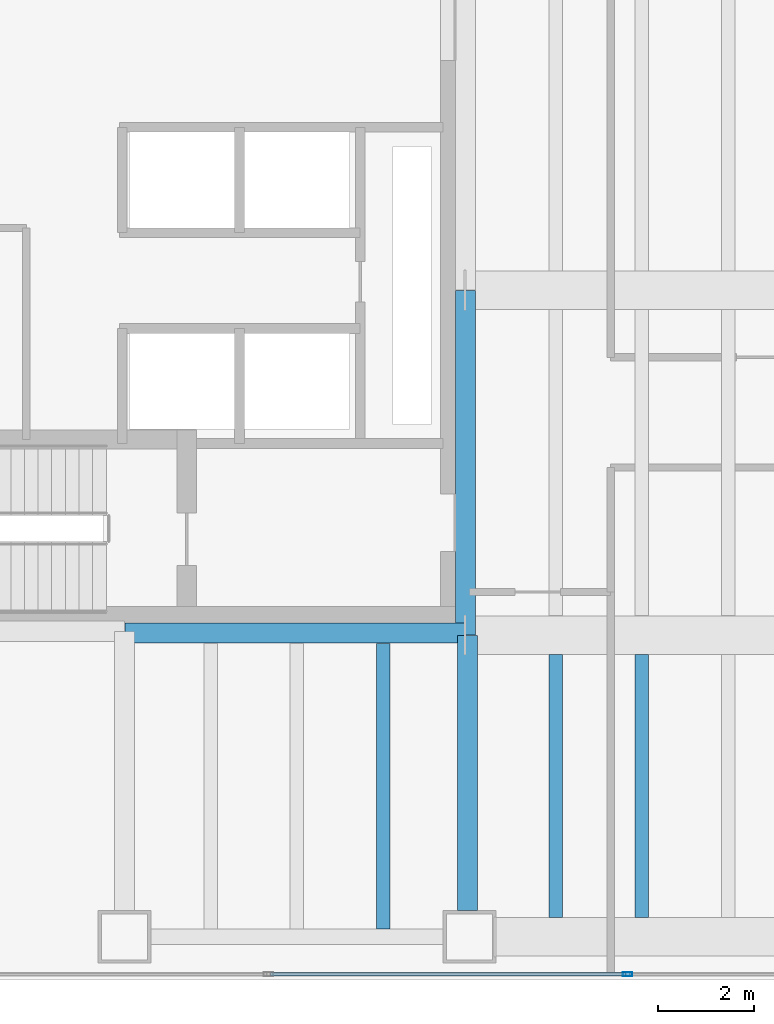
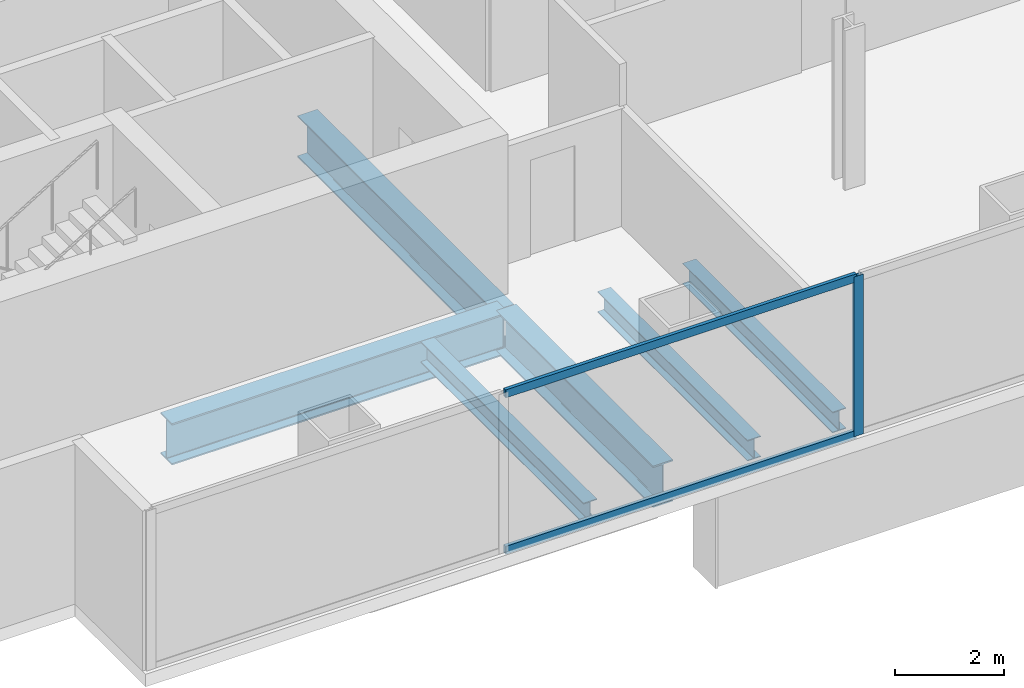
# One storey, part 3 of 24: 6 beams, 3 members, 1 element without a shape of its own.
"""IFC4 building model written with IfcOpenShell, lengths in metres."""

from ifc_helpers import new_model, si_unit, direction, frame, origin, origin_2d, place, context, subcontext, project, spatial, hollow_rectangle, i_section, extrude, material, material_profile, profile_set, type_object, element, aggregate, save


model = new_model("IFC4")

# Units and contexts
model_context = context("Model", 3, precision=1e-05, world=origin(), true_north=direction((0.0, 1.0)))
body_context = subcontext(model_context, "Body", "Model", "MODEL_VIEW")
ifc_project = project(units=[si_unit("LENGTHUNIT", "METRE"), si_unit("AREAUNIT", "SQUARE_METRE"), si_unit("VOLUMEUNIT", "CUBIC_METRE"), si_unit("PLANEANGLEUNIT", "RADIAN"), si_unit("MASSUNIT", "GRAM", prefix="KILO")], contexts=[model_context])

# Site, building, storey
site_placement = place(None, origin())
site = spatial("IfcSite", under=ifc_project, at=site_placement, CompositionType="ELEMENT")
building_placement = place(site_placement, origin())
building = spatial("IfcBuilding", under=site, at=building_placement, Name="Cobrela Telecom Tower", CompositionType="ELEMENT")
storey_placement = place(building_placement, frame((0.0, 0.0, 31.14990234375)))
storey = spatial("IfcBuildingStorey", under=building, at=storey_placement, Name="L07", CompositionType="ELEMENT", Elevation=31.14990234375)

# Beams
ifc_material_1 = material(Name="Steel ASTM A992 Grade 50", Category="steel")
ifc_material_profile_1 = material_profile(ifc_material_1, i_section(OverallWidth=0.4189453125, OverallDepth=0.927001953125, WebThickness=0.019287109375, FlangeThickness=0.031982421875, FilletRadius=0.02392578125, at=origin_2d()), Name="W36X231")
ifc_profile_set_1 = profile_set([ifc_material_profile_1], Name="Steel ASTM A992 Grade 50")
beam_type_1 = type_object("IfcBeamType", Name="BM-GIRD-02", PredefinedType="USERDEFINED", material=ifc_profile_set_1)
beam_1_placement = place(storey_placement, frame((7.205078125, 7.239990234375, -0.743408203125), z_axis=(1.0, 0.0, 0.0), x_axis=(0.0, 1.0, 0.0)))
element("IfcBeam", 1, at=beam_1_placement, inside=storey, type_object=beam_type_1, Name="L07 Primary Girder X05", ObjectType="GIRDER", PredefinedType="USERDEFINED", context=body_context, shape_type="SweptSolid", body=[
    extrude(i_section(OverallWidth=0.4189453125, OverallDepth=0.927001953125, WebThickness=0.019287109375, FlangeThickness=0.031982421875, FilletRadius=0.02392578125, at=origin_2d()), origin(), (0.0, 0.0, 1.0), 7.10986328125),
])
beam_2_placement = place(storey_placement, frame((14.360107421875, 1.455078125, -0.743408203125), z_axis=(0.0, 1.0, 0.0), x_axis=(-1.0, 0.0, 0.0)))
element("IfcBeam", 2, at=beam_2_placement, inside=storey, type_object=beam_type_1, Name="L07 Primary Girder Y20", ObjectType="GIRDER", PredefinedType="USERDEFINED", context=body_context, shape_type="SweptSolid", body=[
    extrude(i_section(OverallWidth=0.4189453125, OverallDepth=0.927001953125, WebThickness=0.019287109375, FlangeThickness=0.031982421875, FilletRadius=0.02392578125, at=origin_2d()), origin(), (0.0, 0.0, 1.0), 5.739990234375),
])
beam_3_placement = place(storey_placement, frame((14.320068359375, 7.205078125, -0.743408203125), z_axis=(0.0, 1.0, 0.0), x_axis=(-1.0, 0.0, 0.0)))
element("IfcBeam", 3, at=beam_3_placement, inside=storey, type_object=beam_type_1, Name="L07 Primary Girder Y21", ObjectType="GIRDER", PredefinedType="USERDEFINED", context=body_context, shape_type="SweptSolid", body=[
    extrude(i_section(OverallWidth=0.4189453125, OverallDepth=0.927001953125, WebThickness=0.019287109375, FlangeThickness=0.031982421875, FilletRadius=0.02392578125, at=origin_2d()), origin(), (0.0, 0.0, 1.0), 7.18994140625),
])
ifc_material_profile_2 = material_profile(ifc_material_1, i_section(OverallWidth=0.281982421875, OverallDepth=0.467041015625, WebThickness=0.01220703125, FlangeThickness=0.01953125, FilletRadius=0.012939453125, at=origin_2d()), Name="W18X86")
ifc_profile_set_2 = profile_set([ifc_material_profile_2], Name="Steel ASTM A992 Grade 50")
beam_type_2 = type_object("IfcBeamType", Name="BM-JOIST-02", PredefinedType="JOIST", material=ifc_profile_set_2)
beam_4_placement = place(storey_placement, frame((12.60009765625, 1.0673828125, -0.513427734375), z_axis=(0.0, 1.0, 0.0), x_axis=(-1.0, 0.0, 0.0)))
element("IfcBeam", 4, at=beam_4_placement, inside=storey, type_object=beam_type_2, Name="L07 Secondary Composite Floor Beam J05", PredefinedType="JOIST", context=body_context, shape_type="SweptSolid", body=[
    extrude(i_section(OverallWidth=0.281982421875, OverallDepth=0.467041015625, WebThickness=0.01220703125, FlangeThickness=0.01953125, FilletRadius=0.012939453125, at=origin_2d()), origin(), (0.0, 0.0, 1.0), 5.9580078125),
])
for number, where, z_axis, x_axis, name in (
    (5, (16.199951171875, 1.304931640625, -0.513427734375), (0.0, 1.0, 0.0), (-1.0, 0.0, 0.0), "L07 Secondary Composite Floor Beam J07"),
    (6, (18.0, 1.304931640625, -0.513427734375), (0.0, 1.0, 0.0), (-1.0, 0.0, 0.0), "L07 Secondary Composite Floor Beam J13"),
):
    element("IfcBeam", number, at=place(storey_placement, frame(where, z_axis=z_axis, x_axis=x_axis)), inside=storey, type_object=beam_type_2, Name=name, PredefinedType="JOIST", context=body_context, shape_type="SweptSolid", body=[
        extrude(i_section(OverallWidth=0.281982421875, OverallDepth=0.467041015625, WebThickness=0.01220703125, FlangeThickness=0.01953125, FilletRadius=0.012939453125, at=origin_2d()), origin(), (0.0, 0.0, 1.0), 5.489990234375),
    ])

# Curtain wall, members
ifc_material_2 = material(Name="Anodized Bronze Aluminium 6063-T6", Category="aluminium")
curtain_wall_type = type_object("IfcCurtainWallType", Name="CW-SYS-DATA", PredefinedType="USERDEFINED", material=ifc_material_2)
curtain_wall_placement = place(storey_placement, origin())
curtain_wall = element("IfcCurtainWall", 7, at=curtain_wall_placement, inside=storey, type_object=curtain_wall_type, Name="L07 Unitised Bronze Curtain Wall 17", ObjectType="UNITISED CURTAIN WALL", PredefinedType="USERDEFINED")
ifc_material_profile_3 = material_profile(ifc_material_2, hollow_rectangle(XDim=0.080078125, YDim=0.199951171875, WallThickness=0.00390625, at=origin_2d()), Name="ALU 80x200x4")
ifc_profile_set_3 = profile_set([ifc_material_profile_3], Name="Anodized Bronze Aluminium 6063-T6")
member_type_1 = type_object("IfcMemberType", Name="CW-SYS-DATA-MUL", PredefinedType="MULLION", material=ifc_profile_set_3)
member_1_placement = place(storey_placement, frame((17.703369140625, 0.1201171875, 0.0), z_axis=(0.0, 0.0, 1.0), x_axis=(0.0, -1.0, 0.0)))
member_1 = element("IfcMember", 8, at=member_1_placement, type_object=member_type_1, Name="CW-DATA mullion 5", PredefinedType="MULLION", context=body_context, shape_type="SweptSolid", body=[
    extrude(hollow_rectangle(XDim=0.080078125, YDim=0.199951171875, WallThickness=0.00390625, at=origin_2d()), origin(), (0.0, 0.0, 1.0), 3.570068359375),
])
ifc_material_profile_4 = material_profile(ifc_material_2, hollow_rectangle(XDim=0.074951171875, YDim=0.179931640625, WallThickness=0.00390625, at=origin_2d()), Name="ALU 75x180x4")
ifc_profile_set_4 = profile_set([ifc_material_profile_4], Name="Anodized Bronze Aluminium 6063-T6")
member_type_2 = type_object("IfcMemberType", Name="CW-SYS-DATA-TRN", PredefinedType="USERDEFINED", material=ifc_profile_set_4)
member_2_placement = place(storey_placement, frame((17.663330078125, 0.1201171875, 0.03759765625), z_axis=(-1.0, 0.0, 0.0), x_axis=(0.0, -1.0, 0.0)))
member_2 = element("IfcMember", 9, at=member_2_placement, type_object=member_type_2, Name="CW-DATA transom 5.1", ObjectType="TRANSOM", PredefinedType="USERDEFINED", context=body_context, shape_type="SweptSolid", body=[
    extrude(hollow_rectangle(XDim=0.074951171875, YDim=0.179931640625, WallThickness=0.00390625, at=origin_2d()), origin(), (0.0, 0.0, 1.0), 7.416748046875),
])
member_3_placement = place(storey_placement, frame((17.663330078125, 0.1201171875, 3.53271484375), z_axis=(-1.0, 0.0, 0.0), x_axis=(0.0, -1.0, 0.0)))
member_3 = element("IfcMember", 10, at=member_3_placement, type_object=member_type_2, Name="CW-DATA transom 5.2", ObjectType="TRANSOM", PredefinedType="USERDEFINED", context=body_context, shape_type="SweptSolid", body=[
    extrude(hollow_rectangle(XDim=0.074951171875, YDim=0.179931640625, WallThickness=0.00390625, at=origin_2d()), origin(), (0.0, 0.0, 1.0), 7.416748046875),
])
aggregate(curtain_wall, [member_1, member_2, member_3])

save(model, "model.ifc")
